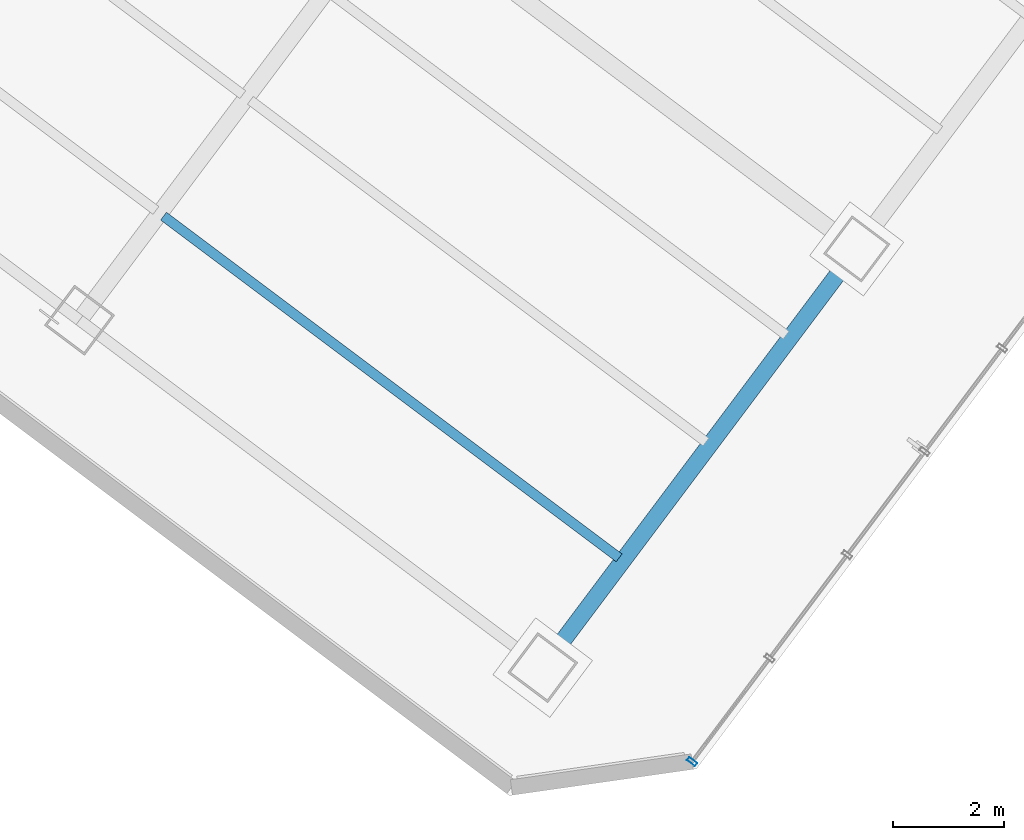
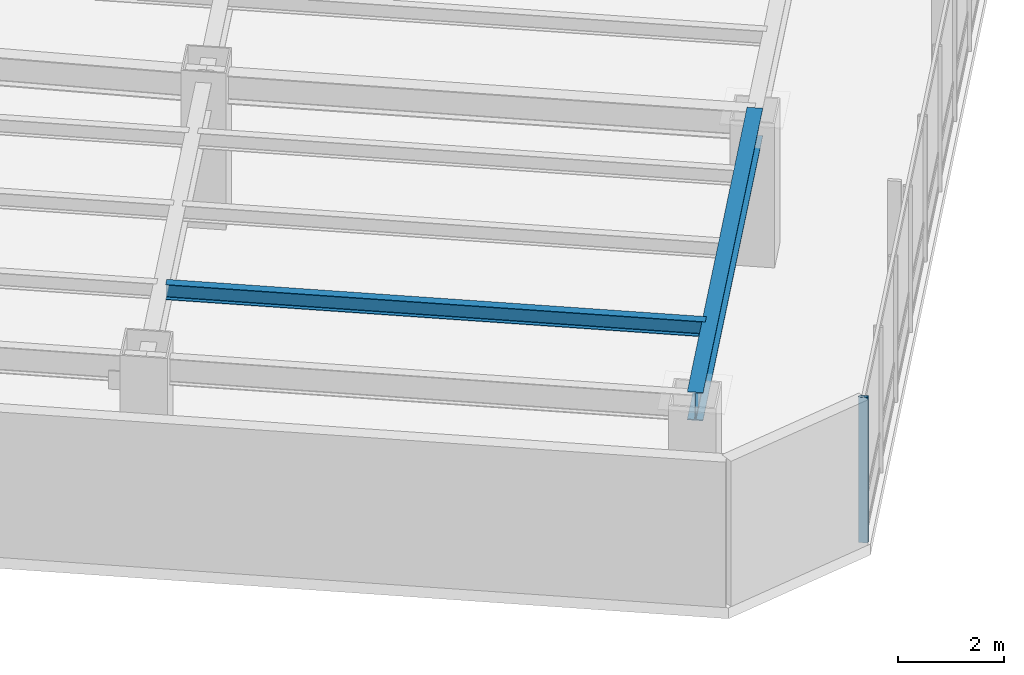
# One storey, part 6 of 29: 2 beams, 1 member, 1 element without a shape of its own.
"""IFC4 building model written with IfcOpenShell, lengths in metres."""

from ifc_helpers import new_model, si_unit, direction, frame, origin, origin_2d, place, context, subcontext, project, spatial, hollow_rectangle, i_section, extrude, material, layer, layer_set, material_profile, profile_set, type_object, element, aggregate, save


model = new_model("IFC4")

# Units and contexts
model_context = context("Model", 3, precision=1e-05, world=origin(), true_north=direction((0.0, 1.0)))
body_context = subcontext(model_context, "Body", "Model", "MODEL_VIEW")
ifc_project = project(units=[si_unit("LENGTHUNIT", "METRE"), si_unit("AREAUNIT", "SQUARE_METRE"), si_unit("VOLUMEUNIT", "CUBIC_METRE"), si_unit("PLANEANGLEUNIT", "RADIAN"), si_unit("MASSUNIT", "GRAM", prefix="KILO")], contexts=[model_context])

# Site, building, storey
site_placement = place(None, origin())
site = spatial("IfcSite", under=ifc_project, at=site_placement, CompositionType="ELEMENT")
building_placement = place(site_placement, origin())
building = spatial("IfcBuilding", under=site, at=building_placement, Name="Hatsunagi Terrace Concourse", CompositionType="ELEMENT")
storey_placement = place(building_placement, frame((0.0, 0.0, 126.449951171875)))
storey = spatial("IfcBuildingStorey", under=building, at=storey_placement, Name="L33", CompositionType="ELEMENT", Elevation=126.449951171875)

# Curtain wall, member
ifc_material_1 = material(Name="Anodised Aluminium Alloy 6063-T5", Category="aluminium")
ifc_layer = layer(ifc_material_1, 0.199951171875)
ifc_layer_set = layer_set([ifc_layer], Name="OfficeZone1_CW03")
curtain_wall_type = type_object("IfcCurtainWallType", Name="OfficeZone1_CW03", PredefinedType="NOTDEFINED", material=ifc_layer_set)
curtain_wall_placement = place(storey_placement, origin())
curtain_wall = element("IfcCurtainWall", 1, at=curtain_wall_placement, inside=storey, type_object=curtain_wall_type, Name="Unitised Curtain Wall CW-03 CW-L33-03", PredefinedType="NOTDEFINED")
ifc_material_2 = material(Name="Anodised Aluminium Alloy 6063-T5", Category="aluminium")
ifc_material_profile_1 = material_profile(ifc_material_2, hollow_rectangle(XDim=0.070068359375, YDim=0.179931640625, WallThickness=0.00390625, at=origin_2d()), Name="ALU-MUL-180x70x4")
ifc_profile_set_1 = profile_set([ifc_material_profile_1], Name="Anodised Aluminium Alloy 6063-T5")
member_type = type_object("IfcMemberType", Name="CurtainWallMullion_180x70", PredefinedType="MULLION", material=ifc_profile_set_1)
member_placement = place(storey_placement, frame((56.56298828125, 2.949951171875, 0.0), z_axis=(0.0, 0.0, 1.0), x_axis=(-0.599969314634, -0.800023013105, 0.0)))
member = element("IfcMember", 2, at=member_placement, type_object=member_type, Name="Curtain Wall Mullion MUL-02", PredefinedType="MULLION", context=body_context, shape_type="SweptSolid", body=[
    extrude(hollow_rectangle(XDim=0.070068359375, YDim=0.179931640625, WallThickness=0.00390625, at=origin_2d()), origin(), (0.0, 0.0, 1.0), 3.340087890625),
])
aggregate(curtain_wall, [member])

# Beams
ifc_material_3 = material(Name="Steel SN490B", Category="steel")
ifc_material_profile_2 = material_profile(ifc_material_3, i_section(OverallWidth=0.175048828125, OverallDepth=0.35009765625, WebThickness=0.007080078125, FlangeThickness=0.010986328125, FilletRadius=0.012939453125, at=origin_2d()), Name="H-350x175x7x11")
ifc_profile_set_2 = profile_set([ifc_material_profile_2], Name="Steel SN490B")
beam_type_1 = type_object("IfcBeamType", Name="HotelJoist_H_350x175", PredefinedType="JOIST", material=ifc_profile_set_2)
beam_1_placement = place(storey_placement, frame((47.068115234375, 12.7490234375, 3.175048828125), z_axis=(0.799997136125, -0.600003818481, 0.0), x_axis=(0.600003818481, 0.799997136125, 0.0)))
element("IfcBeam", 3, at=beam_1_placement, inside=storey, type_object=beam_type_1, Name="Beam J-02 J-L33-SE-3-46", PredefinedType="JOIST", context=body_context, shape_type="SweptSolid", body=[
    extrude(i_section(OverallWidth=0.175048828125, OverallDepth=0.35009765625, WebThickness=0.007080078125, FlangeThickness=0.010986328125, FilletRadius=0.012939453125, at=origin_2d()), origin(), (0.0, 0.0, 1.0), 10.229736328125),
])
ifc_material_4 = material(Name="Steel SN490B", Category="steel")
ifc_material_profile_3 = material_profile(ifc_material_4, i_section(OverallWidth=0.300048828125, OverallDepth=0.64990234375, WebThickness=0.012939453125, FlangeThickness=0.02197265625, FilletRadius=0.01806640625, at=origin_2d()), Name="H-650x300x13x22")
ifc_profile_set_3 = profile_set([ifc_material_profile_3], Name="Steel SN490B")
beam_type_2 = type_object("IfcBeamType", Name="OfficeLowGirder_H_650x300", PredefinedType="BEAM", material=ifc_profile_set_3)
beam_2_placement = place(storey_placement, frame((53.8798828125, 4.639892578125, 3.025146484375), z_axis=(0.600008311051, 0.799993766644, 0.0), x_axis=(-0.799993766644, 0.600008311051, 0.0)))
element("IfcBeam", 4, at=beam_2_placement, inside=storey, type_object=beam_type_2, Name="Beam G-05 BM-L33-SET-3A", PredefinedType="BEAM", context=body_context, shape_type="SweptSolid", body=[
    extrude(i_section(OverallWidth=0.300048828125, OverallDepth=0.64990234375, WebThickness=0.012939453125, FlangeThickness=0.02197265625, FilletRadius=0.01806640625, at=origin_2d()), origin(), (0.0, 0.0, 1.0), 9.400146484375),
])

save(model, "model.ifc")
